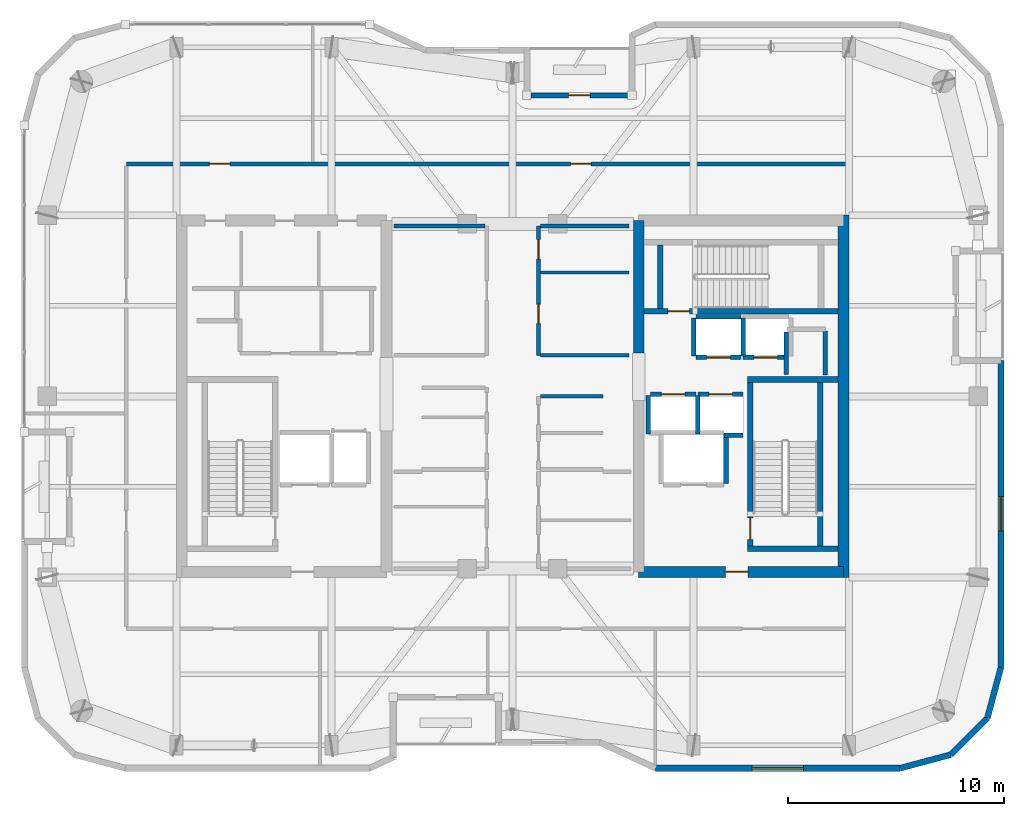
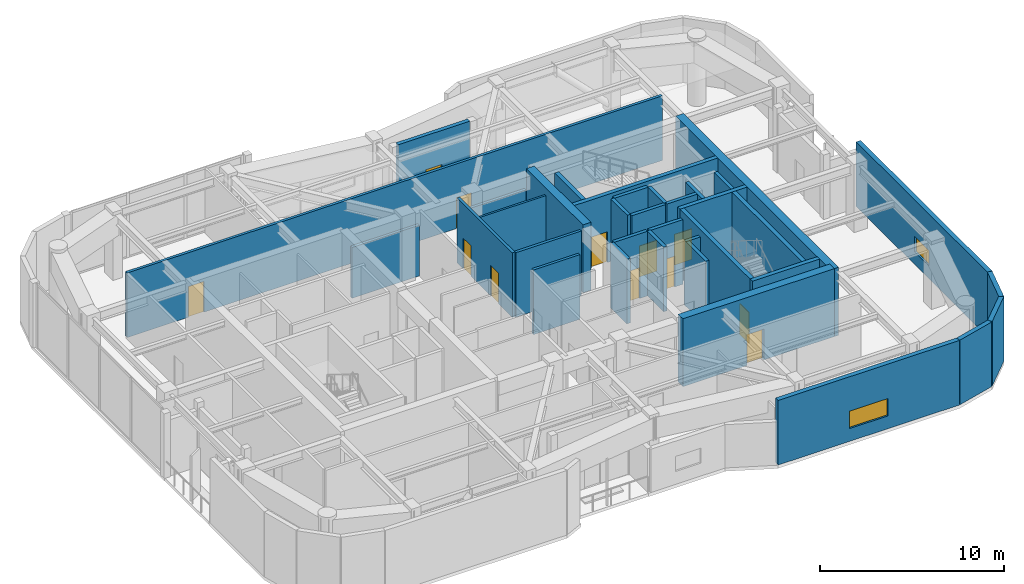
# One storey, part 12 of 16: 35 walls, 12 doors, 2 windows, 14 openings.
"""IFC4 building model written with IfcOpenShell, lengths in metres."""

from ifc_helpers import new_model, si_unit, direction, frame, frame_2d, origin, place, context, subcontext, project, spatial, rectangle, extrude, material, layer, layer_set, type_object, element, fill, save


model = new_model("IFC4")

# Units and contexts
model_context = context("Model", 3, precision=1e-05, world=origin(), true_north=direction((0.0, 1.0)))
body_context = subcontext(model_context, "Body", "Model", "MODEL_VIEW")
ifc_project = project(units=[si_unit("LENGTHUNIT", "METRE"), si_unit("AREAUNIT", "SQUARE_METRE"), si_unit("VOLUMEUNIT", "CUBIC_METRE"), si_unit("PLANEANGLEUNIT", "RADIAN"), si_unit("MASSUNIT", "GRAM", prefix="KILO")], contexts=[model_context])

# Site, building, storey
site_placement = place(None, origin())
site = spatial("IfcSite", under=ifc_project, at=site_placement, CompositionType="ELEMENT")
building_placement = place(site_placement, origin())
building = spatial("IfcBuilding", under=site, at=building_placement, Name="Kiyonajd Concourse Tower", CompositionType="ELEMENT")
storey_placement = place(building_placement, frame((0.0, 0.0, 337.5)))
storey = spatial("IfcBuildingStorey", under=building, at=storey_placement, Name="L85", CompositionType="ELEMENT", Elevation=337.5)

# Walls
ifc_material_1 = material(Name="Concrete C60/75", Category="concrete")
ifc_layer_1 = layer(ifc_material_1, 0.5)
ifc_layer_set_1 = layer_set([ifc_layer_1], Name="Concrete C60/75")
wall_type_1 = type_object("IfcWallType", Name="WL-CORE-500", PredefinedType="SHEAR", material=ifc_layer_set_1)
wall_1_placement = place(storey_placement, frame((53.85009765625, 38.0, 0.0), z_axis=(0.0, 0.0, 1.0), x_axis=(0.0, 1.0, 0.0)))
element("IfcWall", 1, at=wall_1_placement, inside=storey, type_object=wall_type_1, Name="L85 East Core Inner North Shear Wall", PredefinedType="SHEAR", context=body_context, shape_type="SweptSolid", body=[
    extrude(rectangle(XDim=6.14990234375, YDim=0.5, at=frame_2d((3.074951171875, 0.0))), origin(), (0.0, 0.0, 1.0), 4.5),
])
wall_2_placement = place(storey_placement, frame((63.35009765625, 27.60009765625, 0.0), z_axis=(0.0, 0.0, 1.0), x_axis=(0.0, 1.0, 0.0)))
element("IfcWall", 2, at=wall_2_placement, inside=storey, type_object=wall_type_1, Name="L85 East Core Outer Shear Wall", PredefinedType="SHEAR", context=body_context, shape_type="SweptSolid", body=[
    extrude(rectangle(XDim=16.7998046875, YDim=0.5, at=frame_2d((8.39990234375, 0.0))), origin(), (0.0, 0.0, 1.0), 4.5),
])

# Wall, opening, door
wall_3_placement = place(storey_placement, frame((53.85009765625, 27.85009765625, 0.0), z_axis=(0.0, 0.0, 1.0), x_axis=(1.0, 0.0, 0.0)))
wall_3 = element("IfcWall", 3, at=wall_3_placement, inside=storey, type_object=wall_type_1, Name="L85 East Core South Shear Wall", PredefinedType="SHEAR", context=body_context, shape_type="SweptSolid", body=[
    extrude(rectangle(XDim=9.5, YDim=0.5, at=frame_2d((4.75, 0.0))), origin(), (0.0, 0.0, 1.0), 4.5),
])
opening_1_placement = place(wall_3_placement, frame((4.02490234375, 0.0, 0.0)))
opening_1 = element("IfcOpeningElement", 4, at=opening_1_placement, cuts=wall_3, Name="Opening DF5", PredefinedType="OPENING", context=body_context, shape_type="SweptSolid", body=[
    extrude(rectangle(XDim=1.050048828125, YDim=2.0400390625, at=frame_2d((0.52490234375, 1.02001953125))), frame((0.0, 0.260009765625, 0.0), z_axis=(0.0, -1.0, 0.0), x_axis=(1.0, 0.0, 0.0)), (0.0, 0.0, 1.0), 0.52001953125),
])
ifc_material_2 = material(Name="Brushed Stainless Steel Cab Assembly", Category="steel")
door_type_1 = type_object("IfcDoorType", Name="DR-FD45-1050", OperationType="NOTDEFINED", PredefinedType="DOOR", material=ifc_material_2)
door_1_placement = place(opening_1_placement, origin())
door_1 = element("IfcDoor", 5, at=door_1_placement, inside=storey, type_object=door_type_1, Name="L85 Firefighting Lift Lobby E Smoke Door", OperationType="SINGLE_SWING_RIGHT", OverallHeight=2.0400390625, OverallWidth=1.050048828125, PredefinedType="DOOR", context=body_context, shape_type="SweptSolid", body=[
    extrude(rectangle(XDim=1.050048828125, YDim=2.0400390625, at=frame_2d((0.52490234375, 1.02001953125))), frame((0.0, 0.02490234375, 0.0), z_axis=(0.0, -1.0, 0.0), x_axis=(1.0, 0.0, 0.0)), (0.0, 0.0, 1.0), 0.050048828125),
])
fill(opening_1, door_1)

# Wall, opening, window
ifc_material_3 = material(Name="Precast concrete C50/60", Category="concrete")
ifc_layer_2 = layer(ifc_material_3, 0.280029296875)
ifc_layer_set_2 = layer_set([ifc_layer_2], Name="Precast concrete C50/60")
wall_type_2 = type_object("IfcWallType", Name="WL-EXT-280", PredefinedType="SOLIDWALL", material=ifc_layer_set_2)
wall_4_placement = place(storey_placement, frame((70.659912109375, 37.659912109375, 0.0), z_axis=(0.0, 0.0, 1.0), x_axis=(0.0, -1.0, 0.0)))
wall_4 = element("IfcWall", 6, at=wall_4_placement, inside=storey, type_object=wall_type_2, Name="L85 Exterior Concrete Frame Wall 24", PredefinedType="SOLIDWALL", context=body_context, shape_type="SweptSolid", body=[
    extrude(rectangle(XDim=14.241455078125, YDim=0.280029296875, at=frame_2d((7.12060546875, 0.0))), origin(), (0.0, 0.0, 1.0), 4.280029296875),
])
opening_2_placement = place(wall_4_placement, frame((6.321044921875, 0.0, 0.85009765625)))
opening_2 = element("IfcOpeningElement", 7, at=opening_2_placement, cuts=wall_4, Name="Opening WN6", PredefinedType="OPENING", context=body_context, shape_type="SweptSolid", body=[
    extrude(rectangle(XDim=1.60009765625, YDim=1.0, at=frame_2d((0.800048828125, 0.5))), frame((0.0, 0.14990234375, 0.0), z_axis=(0.0, -1.0, 0.0), x_axis=(1.0, 0.0, 0.0)), (0.0, 0.0, 1.0), 0.300048828125),
])
ifc_material_4 = material(Name="Double Low-E Insulated Glass", Category="glass")
window_type_1 = type_object("IfcWindowType", Name="WN-VIS-1600x1000", PartitioningType="SINGLE_PANEL", PredefinedType="WINDOW", material=ifc_material_4)
window_1_placement = place(opening_2_placement, origin())
window_1 = element("IfcWindow", 8, at=window_1_placement, inside=storey, type_object=window_type_1, Name="L85 Modular Facade Vision Window 24", OverallHeight=1.0, OverallWidth=1.60009765625, PartitioningType="SINGLE_PANEL", PredefinedType="WINDOW", context=body_context, shape_type="SweptSolid", body=[
    extrude(rectangle(XDim=1.60009765625, YDim=1.0, at=frame_2d((0.800048828125, 0.5))), frame((0.0, 0.030029296875, 0.0), z_axis=(0.0, -1.0, 0.0), x_axis=(1.0, 0.0, 0.0)), (0.0, 0.0, 1.0), 0.06005859375),
])
fill(opening_2, window_1)

# Walls
wall_5_placement = place(storey_placement, frame((70.659912109375, 23.41845703125, 0.0), z_axis=(0.0, 0.0, 1.0), x_axis=(-0.258751159445, -0.965944013639, 0.0)))
element("IfcWall", 9, at=wall_5_placement, inside=storey, type_object=wall_type_2, Name="L85 Exterior Concrete Frame Wall 25", PredefinedType="SOLIDWALL", context=body_context, shape_type="SweptSolid", body=[
    extrude(rectangle(XDim=2.4287109375, YDim=0.280029296875, at=frame_2d((1.21435546875, 0.0))), origin(), (0.0, 0.0, 1.0), 4.280029296875),
])
wall_6_placement = place(storey_placement, frame((70.031494140625, 21.072509765625, 0.0), z_axis=(0.0, 0.0, 1.0), x_axis=(-0.707106781187, -0.707106781187, 0.0)))
element("IfcWall", 10, at=wall_6_placement, inside=storey, type_object=wall_type_2, Name="L85 Exterior Concrete Frame Wall 26", PredefinedType="SOLIDWALL", context=body_context, shape_type="SweptSolid", body=[
    extrude(rectangle(XDim=2.409912109375, YDim=0.280029296875, at=frame_2d((1.205078125, 0.0))), origin(), (0.0, 0.0, 1.0), 4.280029296875),
])
wall_7_placement = place(storey_placement, frame((68.327392578125, 19.368408203125, 0.0), z_axis=(0.0, 0.0, 1.0), x_axis=(-0.965937282298, -0.25877628691, 0.0)))
element("IfcWall", 11, at=wall_7_placement, inside=storey, type_object=wall_type_2, Name="L85 Exterior Concrete Frame Wall 27", PredefinedType="SOLIDWALL", context=body_context, shape_type="SweptSolid", body=[
    extrude(rectangle(XDim=2.428466796875, YDim=0.280029296875, at=frame_2d((1.21435546875, 0.0))), origin(), (0.0, 0.0, 1.0), 4.280029296875),
])

# Wall, opening, window
wall_8_placement = place(storey_placement, frame((65.981689453125, 18.739990234375, 0.0), z_axis=(0.0, 0.0, 1.0), x_axis=(-1.0, 0.0, 0.0)))
wall_8 = element("IfcWall", 12, at=wall_8_placement, inside=storey, type_object=wall_type_2, Name="L85 Exterior Concrete Frame Wall 28", PredefinedType="SOLIDWALL", context=body_context, shape_type="SweptSolid", body=[
    extrude(rectangle(XDim=11.35107421875, YDim=0.280029296875, at=frame_2d((5.675537109375, 0.0))), origin(), (0.0, 0.0, 1.0), 4.280029296875),
])
opening_3_placement = place(wall_8_placement, frame((4.47509765625, 0.0, 0.85009765625)))
opening_3 = element("IfcOpeningElement", 13, at=opening_3_placement, cuts=wall_8, Name="Opening WN4", PredefinedType="OPENING", context=body_context, shape_type="SweptSolid", body=[
    extrude(rectangle(XDim=2.39990234375, YDim=1.14990234375, at=frame_2d((1.199951171875, 0.574951171875))), frame((0.0, 0.14990234375, 0.0), z_axis=(0.0, -1.0, 0.0), x_axis=(1.0, 0.0, 0.0)), (0.0, 0.0, 1.0), 0.300048828125),
])
window_type_2 = type_object("IfcWindowType", Name="WN-VIS-2400x1150", PartitioningType="SINGLE_PANEL", PredefinedType="WINDOW", material=ifc_material_4)
window_2_placement = place(opening_3_placement, origin())
window_2 = element("IfcWindow", 14, at=window_2_placement, inside=storey, type_object=window_type_2, Name="L85 Modular Facade Vision Window 28", OverallHeight=1.14990234375, OverallWidth=2.39990234375, PartitioningType="SINGLE_PANEL", PredefinedType="WINDOW", context=body_context, shape_type="SweptSolid", body=[
    extrude(rectangle(XDim=2.39990234375, YDim=1.14990234375, at=frame_2d((1.199951171875, 0.574951171875))), frame((0.0, 0.030029296875, 0.0), z_axis=(0.0, -1.0, 0.0), x_axis=(1.0, 0.0, 0.0)), (0.0, 0.0, 1.0), 0.06005859375),
])
fill(opening_3, window_2)

# Wall, opening, door
ifc_layer_3 = layer(ifc_material_3, 0.239990234375)
ifc_layer_set_3 = layer_set([ifc_layer_3], Name="Precast concrete C50/60")
wall_type_3 = type_object("IfcWallType", Name="WL-LOG-240", PredefinedType="SOLIDWALL", material=ifc_layer_set_3)
wall_9_placement = place(storey_placement, frame((48.85498046875, 49.9599609375, 0.0), z_axis=(0.0, 0.0, 1.0), x_axis=(1.0, 0.0, 0.0)))
wall_9 = element("IfcWall", 15, at=wall_9_placement, inside=storey, type_object=wall_type_3, Name="L85 Recessed Loggia Thermal Wall LOG-N", PredefinedType="SOLIDWALL", context=body_context, shape_type="SweptSolid", body=[
    extrude(rectangle(XDim=4.489990234375, YDim=0.239990234375, at=frame_2d((2.2451171875, 0.0))), origin(), (0.0, 0.0, 1.0), 4.280029296875),
])
opening_4_placement = place(wall_9_placement, frame((1.7451171875, 0.0, 0.0)))
opening_4 = element("IfcOpeningElement", 16, at=opening_4_placement, cuts=wall_9, Name="Opening DL1", PredefinedType="OPENING", context=body_context, shape_type="SweptSolid", body=[
    extrude(rectangle(XDim=1.0, YDim=2.02001953125, at=frame_2d((0.5, 1.010009765625))), frame((0.0, 0.1298828125, 0.0), z_axis=(0.0, -1.0, 0.0), x_axis=(1.0, 0.0, 0.0)), (0.0, 0.0, 1.0), 0.260009765625),
])
ifc_material_5 = material(Name="Thermally Broken Anodised Aluminium", Category="aluminium")
door_type_2 = type_object("IfcDoorType", Name="DR-LOG-1000", OperationType="NOTDEFINED", PredefinedType="DOOR", material=ifc_material_5)
door_2_placement = place(opening_4_placement, origin())
door_2 = element("IfcDoor", 17, at=door_2_placement, inside=storey, type_object=door_type_2, Name="L85 Engawa Loggia Access Door LOG-N", OperationType="SINGLE_SWING_RIGHT", OverallHeight=2.02001953125, OverallWidth=1.0, PredefinedType="DOOR", context=body_context, shape_type="SweptSolid", body=[
    extrude(rectangle(XDim=1.0, YDim=2.02001953125, at=frame_2d((0.5, 1.010009765625))), frame((0.0, 0.02490234375, 0.0), z_axis=(0.0, -1.0, 0.0), x_axis=(1.0, 0.0, 0.0)), (0.0, 0.0, 1.0), 0.050048828125),
])
fill(opening_4, door_2)

# Walls
ifc_material_6 = material(Name="Gypsum Board on Cold-Formed Steel Stud", Category="steel")
ifc_layer_4 = layer(ifc_material_6, 0.125)
ifc_layer_set_4 = layer_set([ifc_layer_4], Name="Gypsum Board on Cold-Formed Steel Stud")
wall_type_4 = type_object("IfcWallType", Name="WL-PART-125", PredefinedType="PARTITIONING", material=ifc_layer_set_4)
wall_10_placement = place(storey_placement, frame((49.287109375, 41.739990234375, 0.0), z_axis=(0.0, 0.0, 1.0), x_axis=(1.0, 0.0, 0.0)))
element("IfcWall", 18, at=wall_10_placement, inside=storey, type_object=wall_type_4, Name="L85 Interior Partition Wall", PredefinedType="PARTITIONING", context=body_context, shape_type="SweptSolid", body=[
    extrude(rectangle(XDim=4.11279296875, YDim=0.125, at=frame_2d((2.056396484375, 0.0))), origin(), (0.0, 0.0, 1.0), 4.280029296875),
])
ifc_layer_5 = layer(ifc_material_6, 0.2099609375)
ifc_layer_set_5 = layer_set([ifc_layer_5], Name="Gypsum Board on Cold-Formed Steel Stud")
wall_type_5 = type_object("IfcWallType", Name="WL-SHAFT-210", PredefinedType="PARTITIONING", material=ifc_layer_set_5)
wall_11_placement = place(storey_placement, frame((60.699951171875, 37.02001953125, 0.0), z_axis=(0.0, 0.0, 1.0), x_axis=(0.0, 1.0, 0.0)))
element("IfcWall", 19, at=wall_11_placement, inside=storey, type_object=wall_type_5, Name="L85 Shaft Enclosure Wall", PredefinedType="PARTITIONING", context=body_context, shape_type="SweptSolid", body=[
    extrude(rectangle(XDim=1.9599609375, YDim=0.2099609375, at=frame_2d((0.97998046875, 0.0))), origin(), (0.0, 0.0, 1.0), 4.280029296875),
])
wall_12_placement = place(storey_placement, frame((62.5, 36.97998046875, 0.0), z_axis=(0.0, 0.0, 1.0), x_axis=(0.0, 1.0, 0.0)))
element("IfcWall", 20, at=wall_12_placement, inside=storey, type_object=wall_type_5, Name="L85 Shaft Enclosure Wall", PredefinedType="PARTITIONING", context=body_context, shape_type="SweptSolid", body=[
    extrude(rectangle(XDim=2.0400390625, YDim=0.2099609375, at=frame_2d((1.02001953125, 0.0))), origin(), (0.0, 0.0, 1.0), 4.280029296875),
])
wall_13_placement = place(storey_placement, frame((57.89990234375, 31.9599609375, 0.0), z_axis=(0.0, 0.0, 1.0), x_axis=(0.0, 1.0, 0.0)))
element("IfcWall", 21, at=wall_13_placement, inside=storey, type_object=wall_type_5, Name="L85 Shaft Enclosure Wall", PredefinedType="PARTITIONING", context=body_context, shape_type="SweptSolid", body=[
    extrude(rectangle(XDim=2.280029296875, YDim=0.2099609375, at=frame_2d((1.14013671875, 0.0))), origin(), (0.0, 0.0, 1.0), 4.280029296875),
])

# Wall, opening, door
wall_14_placement = place(storey_placement, frame((54.39990234375, 36.10009765625, 0.0), z_axis=(0.0, 0.0, 1.0), x_axis=(1.0, 0.0, 0.0)))
wall_14 = element("IfcWall", 22, at=wall_14_placement, inside=storey, type_object=wall_type_5, Name="L85 Shaft Enclosure Wall", PredefinedType="PARTITIONING", context=body_context, shape_type="SweptSolid", body=[
    extrude(rectangle(XDim=2.10009765625, YDim=0.2099609375, at=frame_2d((1.050048828125, 0.0))), origin(), (0.0, 0.0, 1.0), 4.280029296875),
])
opening_5_placement = place(wall_14_placement, frame((0.5, 0.0, 0.0)))
opening_5 = element("IfcOpeningElement", 23, at=opening_5_placement, cuts=wall_14, Name="Opening LD1", PredefinedType="OPENING", context=body_context, shape_type="SweptSolid", body=[
    extrude(rectangle(XDim=1.10009765625, YDim=2.0400390625, at=frame_2d((0.550048828125, 1.02001953125))), frame((0.0, 0.114990234375, 0.0), z_axis=(0.0, -1.0, 0.0), x_axis=(1.0, 0.0, 0.0)), (0.0, 0.0, 1.0), 0.22998046875),
])
door_type_3 = type_object("IfcDoorType", Name="DR-LD-1100", OperationType="DOUBLE_DOOR_SLIDING", PredefinedType="DOOR", material=ifc_material_2)
door_3_placement = place(opening_5_placement, origin())
door_3 = element("IfcDoor", 24, at=door_3_placement, inside=storey, type_object=door_type_3, Name="L85 Lift PL-H1 Sliding Landing Door", OperationType="DOUBLE_DOOR_SLIDING", OverallHeight=2.0400390625, OverallWidth=1.10009765625, PredefinedType="DOOR", context=body_context, shape_type="SweptSolid", body=[
    extrude(rectangle(XDim=1.10009765625, YDim=2.0400390625, at=frame_2d((0.550048828125, 1.02001953125))), frame((0.0, 0.02490234375, 0.0), z_axis=(0.0, -1.0, 0.0), x_axis=(1.0, 0.0, 0.0)), (0.0, 0.0, 1.0), 0.050048828125),
])
fill(opening_5, door_3)

# Walls
for number, where, z_axis, x_axis, name in (
    (25, (54.300048828125, 34.260009765625, 0.0), (0.0, 0.0, 1.0), (0.0, 1.0, 0.0), "L85 Shaft Enclosure Wall"),
    (26, (56.60009765625, 34.260009765625, 0.0), (0.0, 0.0, 1.0), (0.0, 1.0, 0.0), "L85 Shaft Enclosure Wall"),
):
    element("IfcWall", number, at=place(storey_placement, frame(where, z_axis=z_axis, x_axis=x_axis)), inside=storey, type_object=wall_type_5, Name=name, PredefinedType="PARTITIONING", context=body_context, shape_type="SweptSolid", body=[
        extrude(rectangle(XDim=1.780029296875, YDim=0.2099609375, at=frame_2d((0.89013671875, 0.0))), origin(), (0.0, 0.0, 1.0), 4.280029296875),
    ])

# Wall, opening, door
wall_15_placement = place(storey_placement, frame((56.60009765625, 36.10009765625, 0.0), z_axis=(0.0, 0.0, 1.0), x_axis=(1.0, 0.0, 0.0)))
wall_15 = element("IfcWall", 27, at=wall_15_placement, inside=storey, type_object=wall_type_5, Name="L85 Shaft Enclosure Wall", PredefinedType="PARTITIONING", context=body_context, shape_type="SweptSolid", body=[
    extrude(rectangle(XDim=2.099853515625, YDim=0.2099609375, at=frame_2d((1.0498046875, 0.0))), origin(), (0.0, 0.0, 1.0), 4.280029296875),
])
opening_6_placement = place(wall_15_placement, frame((0.5, 0.0, 0.0)))
opening_6 = element("IfcOpeningElement", 28, at=opening_6_placement, cuts=wall_15, Name="Opening LD1", PredefinedType="OPENING", context=body_context, shape_type="SweptSolid", body=[
    extrude(rectangle(XDim=1.10009765625, YDim=2.0400390625, at=frame_2d((0.550048828125, 1.02001953125))), frame((0.0, 0.114990234375, 0.0), z_axis=(0.0, -1.0, 0.0), x_axis=(1.0, 0.0, 0.0)), (0.0, 0.0, 1.0), 0.22998046875),
])
door_4_placement = place(opening_6_placement, origin())
door_4 = element("IfcDoor", 29, at=door_4_placement, inside=storey, type_object=door_type_3, Name="L85 Lift PL-H2 Sliding Landing Door", OperationType="DOUBLE_DOOR_SLIDING", OverallHeight=2.0400390625, OverallWidth=1.10009765625, PredefinedType="DOOR", context=body_context, shape_type="SweptSolid", body=[
    extrude(rectangle(XDim=1.10009765625, YDim=2.0400390625, at=frame_2d((0.550048828125, 1.02001953125))), frame((0.0, 0.02490234375, 0.0), z_axis=(0.0, -1.0, 0.0), x_axis=(1.0, 0.0, 0.0)), (0.0, 0.0, 1.0), 0.050048828125),
])
fill(opening_6, door_4)

# Wall
wall_16_placement = place(storey_placement, frame((57.800048828125, 34.199951171875, 0.0), z_axis=(0.0, 0.0, 1.0), x_axis=(1.0, 0.0, 0.0)))
element("IfcWall", 30, at=wall_16_placement, inside=storey, type_object=wall_type_5, Name="L85 Shaft Enclosure Wall", PredefinedType="PARTITIONING", context=body_context, shape_type="SweptSolid", body=[
    extrude(rectangle(XDim=0.89990234375, YDim=0.2099609375, at=frame_2d((0.449951171875, 0.0))), origin(), (0.0, 0.0, 1.0), 4.280029296875),
])

# Wall, opening, door
wall_17_placement = place(storey_placement, frame((56.5, 37.800048828125, 0.0), z_axis=(0.0, 0.0, 1.0), x_axis=(1.0, 0.0, 0.0)))
wall_17 = element("IfcWall", 31, at=wall_17_placement, inside=storey, type_object=wall_type_5, Name="L85 Shaft Enclosure Wall", PredefinedType="PARTITIONING", context=body_context, shape_type="SweptSolid", body=[
    extrude(rectangle(XDim=2.10009765625, YDim=0.2099609375, at=frame_2d((1.050048828125, 0.0))), origin(), (0.0, 0.0, 1.0), 4.280029296875),
])
opening_7_placement = place(wall_17_placement, frame((0.5, 0.0, 0.0)))
opening_7 = element("IfcOpeningElement", 32, at=opening_7_placement, cuts=wall_17, Name="Opening LD1", PredefinedType="OPENING", context=body_context, shape_type="SweptSolid", body=[
    extrude(rectangle(XDim=1.10009765625, YDim=2.0400390625, at=frame_2d((0.550048828125, 1.02001953125))), frame((0.0, 0.114990234375, 0.0), z_axis=(0.0, -1.0, 0.0), x_axis=(1.0, 0.0, 0.0)), (0.0, 0.0, 1.0), 0.22998046875),
])
door_5_placement = place(opening_7_placement, origin())
door_5 = element("IfcDoor", 33, at=door_5_placement, inside=storey, type_object=door_type_3, Name="L85 Lift PL-H3 Sliding Landing Door", OperationType="DOUBLE_DOOR_SLIDING", OverallHeight=2.0400390625, OverallWidth=1.10009765625, PredefinedType="DOOR", context=body_context, shape_type="SweptSolid", body=[
    extrude(rectangle(XDim=1.10009765625, YDim=2.0400390625, at=frame_2d((0.550048828125, 1.02001953125))), frame((0.0, 0.02490234375, 0.0), z_axis=(0.0, -1.0, 0.0), x_axis=(1.0, 0.0, 0.0)), (0.0, 0.0, 1.0), 0.050048828125),
])
fill(opening_7, door_5)

# Walls
wall_18_placement = place(storey_placement, frame((56.5, 39.699951171875, 0.0), z_axis=(0.0, 0.0, 1.0), x_axis=(1.0, 0.0, 0.0)))
element("IfcWall", 34, at=wall_18_placement, inside=storey, type_object=wall_type_5, Name="L85 Shaft Enclosure Wall", PredefinedType="PARTITIONING", context=body_context, shape_type="SweptSolid", body=[
    extrude(rectangle(XDim=2.10009765625, YDim=0.2099609375, at=frame_2d((1.050048828125, 0.0))), origin(), (0.0, 0.0, 1.0), 4.280029296875),
])
for number, where, z_axis, x_axis, name in (
    (35, (56.39990234375, 37.860107421875, 0.0), (0.0, 0.0, 1.0), (0.0, 1.0, 0.0), "L85 Shaft Enclosure Wall"),
    (36, (58.699951171875, 37.860107421875, 0.0), (0.0, 0.0, 1.0), (0.0, 1.0, 0.0), "L85 Shaft Enclosure Wall"),
):
    element("IfcWall", number, at=place(storey_placement, frame(where, z_axis=z_axis, x_axis=x_axis)), inside=storey, type_object=wall_type_5, Name=name, PredefinedType="PARTITIONING", context=body_context, shape_type="SweptSolid", body=[
        extrude(rectangle(XDim=1.77978515625, YDim=0.2099609375, at=frame_2d((0.889892578125, 0.0))), origin(), (0.0, 0.0, 1.0), 4.280029296875),
    ])

# Wall, opening, door
wall_19_placement = place(storey_placement, frame((58.699951171875, 37.800048828125, 0.0), z_axis=(0.0, 0.0, 1.0), x_axis=(1.0, 0.0, 0.0)))
wall_19 = element("IfcWall", 37, at=wall_19_placement, inside=storey, type_object=wall_type_5, Name="L85 Shaft Enclosure Wall", PredefinedType="PARTITIONING", context=body_context, shape_type="SweptSolid", body=[
    extrude(rectangle(XDim=2.10009765625, YDim=0.2099609375, at=frame_2d((1.050048828125, 0.0))), origin(), (0.0, 0.0, 1.0), 4.280029296875),
])
opening_8_placement = place(wall_19_placement, frame((0.5, 0.0, 0.0)))
opening_8 = element("IfcOpeningElement", 38, at=opening_8_placement, cuts=wall_19, Name="Opening LD1", PredefinedType="OPENING", context=body_context, shape_type="SweptSolid", body=[
    extrude(rectangle(XDim=1.10009765625, YDim=2.0400390625, at=frame_2d((0.550048828125, 1.02001953125))), frame((0.0, 0.114990234375, 0.0), z_axis=(0.0, -1.0, 0.0), x_axis=(1.0, 0.0, 0.0)), (0.0, 0.0, 1.0), 0.22998046875),
])
door_6_placement = place(opening_8_placement, origin())
door_6 = element("IfcDoor", 39, at=door_6_placement, inside=storey, type_object=door_type_3, Name="L85 Lift PL-H4 Sliding Landing Door", OperationType="DOUBLE_DOOR_SLIDING", OverallHeight=2.0400390625, OverallWidth=1.10009765625, PredefinedType="DOOR", context=body_context, shape_type="SweptSolid", body=[
    extrude(rectangle(XDim=1.10009765625, YDim=2.0400390625, at=frame_2d((0.550048828125, 1.02001953125))), frame((0.0, 0.02490234375, 0.0), z_axis=(0.0, -1.0, 0.0), x_axis=(1.0, 0.0, 0.0)), (0.0, 0.0, 1.0), 0.050048828125),
])
fill(opening_8, door_6)

# Walls
ifc_layer_6 = layer(ifc_material_6, 0.169921875)
ifc_layer_set_6 = layer_set([ifc_layer_6], Name="Gypsum Board on Cold-Formed Steel Stud")
wall_type_6 = type_object("IfcWallType", Name="WL-SMK-170", PredefinedType="PARTITIONING", material=ifc_layer_set_6)
wall_20_placement = place(storey_placement, frame((49.287109375, 36.0, 0.0), z_axis=(0.0, 0.0, 1.0), x_axis=(1.0, 0.0, 0.0)))
element("IfcWall", 40, at=wall_20_placement, inside=storey, type_object=wall_type_6, Name="L85 Interior Partition Wall", PredefinedType="PARTITIONING", context=body_context, shape_type="SweptSolid", body=[
    extrude(rectangle(XDim=2.912841796875, YDim=0.169921875, at=frame_2d((1.45654296875, 0.0))), origin(), (0.0, 0.0, 1.0), 4.280029296875),
])
wall_21_placement = place(storey_placement, frame((42.5, 43.89990234375, 0.0), z_axis=(0.0, 0.0, 1.0), x_axis=(1.0, 0.0, 0.0)))
element("IfcWall", 41, at=wall_21_placement, inside=storey, type_object=wall_type_6, Name="L85 Interior Partition Wall", PredefinedType="PARTITIONING", context=body_context, shape_type="SweptSolid", body=[
    extrude(rectangle(XDim=4.212890625, YDim=0.169921875, at=frame_2d((2.1064453125, 0.0))), origin(), (0.0, 0.0, 1.0), 3.364990234375),
])

# Wall, openings, doors
wall_22_placement = place(storey_placement, frame((49.199951171875, 37.89990234375, 0.0), z_axis=(0.0, 0.0, 1.0), x_axis=(0.0, 1.0, 0.0)))
wall_22 = element("IfcWall", 42, at=wall_22_placement, inside=storey, type_object=wall_type_6, Name="L85 Interior Partition Wall", PredefinedType="PARTITIONING", context=body_context, shape_type="SweptSolid", body=[
    extrude(rectangle(XDim=6.0, YDim=0.169921875, at=frame_2d((3.0, 0.0))), origin(), (0.0, 0.0, 1.0), 4.280029296875),
])
opening_9_placement = place(wall_22_placement, frame((1.469970703125, 0.0, 0.0)))
opening_9 = element("IfcOpeningElement", 43, at=opening_9_placement, cuts=wall_22, Name="Opening DF4", PredefinedType="OPENING", context=body_context, shape_type="SweptSolid", body=[
    extrude(rectangle(XDim=0.89990234375, YDim=2.02001953125, at=frame_2d((0.449951171875, 1.010009765625))), frame((0.0, 0.094970703125, 0.0), z_axis=(0.0, -1.0, 0.0), x_axis=(1.0, 0.0, 0.0)), (0.0, 0.0, 1.0), 0.18994140625),
])
opening_10_placement = place(wall_22_placement, frame((4.469970703125, 0.0, 0.0)))
opening_10 = element("IfcOpeningElement", 44, at=opening_10_placement, cuts=wall_22, Name="Opening DF4", PredefinedType="OPENING", context=body_context, shape_type="SweptSolid", body=[
    extrude(rectangle(XDim=0.89990234375, YDim=2.02001953125, at=frame_2d((0.449951171875, 1.010009765625))), frame((0.0, 0.094970703125, 0.0), z_axis=(0.0, -1.0, 0.0), x_axis=(1.0, 0.0, 0.0)), (0.0, 0.0, 1.0), 0.18994140625),
])
door_type_4 = type_object("IfcDoorType", Name="DR-FD60-900", OperationType="NOTDEFINED", PredefinedType="DOOR", material=ifc_material_2)
door_7_placement = place(opening_9_placement, origin())
door_7 = element("IfcDoor", 45, at=door_7_placement, inside=storey, type_object=door_type_4, Name="L85 Interior Door", OperationType="SINGLE_SWING_RIGHT", OverallHeight=2.02001953125, OverallWidth=0.89990234375, PredefinedType="DOOR", context=body_context, shape_type="SweptSolid", body=[
    extrude(rectangle(XDim=0.89990234375, YDim=2.02001953125, at=frame_2d((0.449951171875, 1.010009765625))), frame((0.0, 0.02490234375, 0.0), z_axis=(0.0, -1.0, 0.0), x_axis=(1.0, 0.0, 0.0)), (0.0, 0.0, 1.0), 0.050048828125),
])
fill(opening_9, door_7)
door_8_placement = place(opening_10_placement, origin())
door_8 = element("IfcDoor", 46, at=door_8_placement, inside=storey, type_object=door_type_4, Name="L85 Interior Door", OperationType="SINGLE_SWING_LEFT", OverallHeight=2.02001953125, OverallWidth=0.89990234375, PredefinedType="DOOR", context=body_context, shape_type="SweptSolid", body=[
    extrude(rectangle(XDim=0.89990234375, YDim=2.02001953125, at=frame_2d((0.449951171875, 1.010009765625))), frame((0.0, 0.02490234375, 0.0), z_axis=(0.0, -1.0, 0.0), x_axis=(1.0, 0.0, 0.0)), (0.0, 0.0, 1.0), 0.050048828125),
])
fill(opening_10, door_8)

# Walls
wall_23_placement = place(storey_placement, frame((49.287109375, 37.89990234375, 0.0), z_axis=(0.0, 0.0, 1.0), x_axis=(1.0, 0.0, 0.0)))
element("IfcWall", 47, at=wall_23_placement, inside=storey, type_object=wall_type_6, Name="L85 Interior Partition Wall", PredefinedType="PARTITIONING", context=body_context, shape_type="SweptSolid", body=[
    extrude(rectangle(XDim=4.11279296875, YDim=0.169921875, at=frame_2d((2.056396484375, 0.0))), origin(), (0.0, 0.0, 1.0), 4.280029296875),
])
wall_24_placement = place(storey_placement, frame((49.287109375, 43.89990234375, 0.0), z_axis=(0.0, 0.0, 1.0), x_axis=(1.0, 0.0, 0.0)))
element("IfcWall", 48, at=wall_24_placement, inside=storey, type_object=wall_type_6, Name="L85 Interior Partition Wall", PredefinedType="PARTITIONING", context=body_context, shape_type="SweptSolid", body=[
    extrude(rectangle(XDim=4.11279296875, YDim=0.169921875, at=frame_2d((2.056396484375, 0.0))), origin(), (0.0, 0.0, 1.0), 3.364990234375),
])

# Wall, openings, doors
wall_25_placement = place(storey_placement, frame((30.074951171875, 46.780029296875, 0.0), z_axis=(0.0, 0.0, 1.0), x_axis=(1.0, 0.0, 0.0)))
wall_25 = element("IfcWall", 49, at=wall_25_placement, inside=storey, type_object=wall_type_6, Name="L85 Interior Partition Wall", PredefinedType="PARTITIONING", context=body_context, shape_type="SweptSolid", body=[
    extrude(rectangle(XDim=33.525146484375, YDim=0.169921875, at=frame_2d((16.7626953125, 0.0))), origin(), (0.0, 0.0, 1.0), 4.280029296875),
])
opening_11_placement = place(wall_25_placement, frame((3.85205078125, 0.0, 0.0)))
opening_11 = element("IfcOpeningElement", 50, at=opening_11_placement, cuts=wall_25, Name="Opening DI1", PredefinedType="OPENING", context=body_context, shape_type="SweptSolid", body=[
    extrude(rectangle(XDim=0.949951171875, YDim=2.0400390625, at=frame_2d((0.47509765625, 1.02001953125))), frame((0.0, 0.094970703125, 0.0), z_axis=(0.0, -1.0, 0.0), x_axis=(1.0, 0.0, 0.0)), (0.0, 0.0, 1.0), 0.18994140625),
])
opening_12_placement = place(wall_25_placement, frame((20.614990234375, 0.0, 0.0)))
opening_12 = element("IfcOpeningElement", 51, at=opening_12_placement, cuts=wall_25, Name="Opening DI1", PredefinedType="OPENING", context=body_context, shape_type="SweptSolid", body=[
    extrude(rectangle(XDim=0.949951171875, YDim=2.0400390625, at=frame_2d((0.47509765625, 1.02001953125))), frame((0.0, 0.094970703125, 0.0), z_axis=(0.0, -1.0, 0.0), x_axis=(1.0, 0.0, 0.0)), (0.0, 0.0, 1.0), 0.18994140625),
])
ifc_material_7 = material(Name="Natural Oak Acoustic Timber Veneer", Category="wood")
door_type_5 = type_object("IfcDoorType", Name="DR-INT-950", OperationType="NOTDEFINED", PredefinedType="DOOR", material=ifc_material_7)
door_9_placement = place(opening_11_placement, origin())
door_9 = element("IfcDoor", 52, at=door_9_placement, inside=storey, type_object=door_type_5, Name="L85 Interior Door", OperationType="SINGLE_SWING_RIGHT", OverallHeight=2.0400390625, OverallWidth=0.949951171875, PredefinedType="DOOR", context=body_context, shape_type="SweptSolid", body=[
    extrude(rectangle(XDim=0.949951171875, YDim=2.0400390625, at=frame_2d((0.47509765625, 1.02001953125))), frame((0.0, 0.02490234375, 0.0), z_axis=(0.0, -1.0, 0.0), x_axis=(1.0, 0.0, 0.0)), (0.0, 0.0, 1.0), 0.050048828125),
])
fill(opening_11, door_9)
door_10_placement = place(opening_12_placement, origin())
door_10 = element("IfcDoor", 53, at=door_10_placement, inside=storey, type_object=door_type_5, Name="L85 Interior Door", OperationType="SINGLE_SWING_LEFT", OverallHeight=2.0400390625, OverallWidth=0.949951171875, PredefinedType="DOOR", context=body_context, shape_type="SweptSolid", body=[
    extrude(rectangle(XDim=0.949951171875, YDim=2.0400390625, at=frame_2d((0.47509765625, 1.02001953125))), frame((0.0, 0.02490234375, 0.0), z_axis=(0.0, -1.0, 0.0), x_axis=(1.0, 0.0, 0.0)), (0.0, 0.0, 1.0), 0.050048828125),
])
fill(opening_12, door_10)

# Walls
ifc_material_8 = material(Name="Concrete C50/60", Category="concrete")
ifc_layer_7 = layer(ifc_material_8, 0.260009765625)
ifc_layer_set_7 = layer_set([ifc_layer_7], Name="Concrete C50/60")
wall_type_7 = type_object("IfcWallType", Name="WL-STAIR-260", PredefinedType="SHEAR", material=ifc_layer_set_7)
for number, where, z_axis, x_axis, name in (
    (54, (58.889892578125, 28.919921875, 0.0), (0.0, 0.0, 1.0), (1.0, 0.0, 0.0), "L85 Stair ST2 Structural South Wall"),
    (55, (58.889892578125, 36.780029296875, 0.0), (0.0, 0.0, 1.0), (1.0, 0.0, 0.0), "L85 Stair ST2 Structural North Wall"),
):
    element("IfcWall", number, at=place(storey_placement, frame(where, z_axis=z_axis, x_axis=x_axis)), inside=storey, type_object=wall_type_7, Name=name, PredefinedType="SHEAR", context=body_context, shape_type="SweptSolid", body=[
        extrude(rectangle(XDim=4.210205078125, YDim=0.260009765625, at=frame_2d((2.10498046875, 0.0))), origin(), (0.0, 0.0, 1.0), 4.5),
    ])

# Wall, opening, door
wall_26_placement = place(storey_placement, frame((59.02001953125, 29.050048828125, 0.0), z_axis=(0.0, 0.0, 1.0), x_axis=(0.0, 1.0, 0.0)))
wall_26 = element("IfcWall", 56, at=wall_26_placement, inside=storey, type_object=wall_type_7, Name="L85 Stair ST2 Structural West Wall", PredefinedType="SHEAR", context=body_context, shape_type="SweptSolid", body=[
    extrude(rectangle(XDim=7.599853515625, YDim=0.260009765625, at=frame_2d((3.7998046875, 0.0))), origin(), (0.0, 0.0, 1.0), 4.5),
])
opening_13_placement = place(wall_26_placement, frame((0.300048828125, 0.0, 0.0)))
opening_13 = element("IfcOpeningElement", 57, at=opening_13_placement, cuts=wall_26, Name="Opening DF1", PredefinedType="OPENING", context=body_context, shape_type="SweptSolid", body=[
    extrude(rectangle(XDim=1.0, YDim=2.0400390625, at=frame_2d((0.5, 1.02001953125))), frame((0.0, 0.139892578125, 0.0), z_axis=(0.0, -1.0, 0.0), x_axis=(1.0, 0.0, 0.0)), (0.0, 0.0, 1.0), 0.280029296875),
])
door_type_6 = type_object("IfcDoorType", Name="DR-FD90-1000", OperationType="NOTDEFINED", PredefinedType="DOOR", material=ifc_material_2)
door_11_placement = place(opening_13_placement, origin())
door_11 = element("IfcDoor", 58, at=door_11_placement, inside=storey, type_object=door_type_6, Name="L85 Stair ST2 FSAE Door", OperationType="SINGLE_SWING_RIGHT", OverallHeight=2.0400390625, OverallWidth=1.0, PredefinedType="DOOR", context=body_context, shape_type="SweptSolid", body=[
    extrude(rectangle(XDim=1.0, YDim=2.0400390625, at=frame_2d((0.5, 1.02001953125))), frame((0.0, 0.02490234375, 0.0), z_axis=(0.0, -1.0, 0.0), x_axis=(1.0, 0.0, 0.0)), (0.0, 0.0, 1.0), 0.050048828125),
])
fill(opening_13, door_11)

# Wall
wall_27_placement = place(storey_placement, frame((62.280029296875, 29.050048828125, 0.0), z_axis=(0.0, 0.0, 1.0), x_axis=(0.0, 1.0, 0.0)))
element("IfcWall", 59, at=wall_27_placement, inside=storey, type_object=wall_type_7, Name="L85 Stair ST2 Structural East Wall", PredefinedType="SHEAR", context=body_context, shape_type="SweptSolid", body=[
    extrude(rectangle(XDim=7.599853515625, YDim=0.260009765625, at=frame_2d((3.7998046875, 0.0))), origin(), (0.0, 0.0, 1.0), 4.5),
])

# Wall, opening, door
wall_28_placement = place(storey_placement, frame((54.10009765625, 39.949951171875, 0.0), z_axis=(0.0, 0.0, 1.0), x_axis=(1.0, 0.0, 0.0)))
wall_28 = element("IfcWall", 60, at=wall_28_placement, inside=storey, type_object=wall_type_7, Name="L85 Stair ST3 Structural South Wall", PredefinedType="SHEAR", context=body_context, shape_type="SweptSolid", body=[
    extrude(rectangle(XDim=9.0, YDim=0.260009765625, at=frame_2d((4.5, 0.0))), origin(), (0.0, 0.0, 1.0), 4.5),
])
opening_14_placement = place(wall_28_placement, frame((1.10009765625, 0.0, 0.0)))
opening_14 = element("IfcOpeningElement", 61, at=opening_14_placement, cuts=wall_28, Name="Opening DF1", PredefinedType="OPENING", context=body_context, shape_type="SweptSolid", body=[
    extrude(rectangle(XDim=1.0, YDim=2.0400390625, at=frame_2d((0.5, 1.02001953125))), frame((0.0, 0.139892578125, 0.0), z_axis=(0.0, -1.0, 0.0), x_axis=(1.0, 0.0, 0.0)), (0.0, 0.0, 1.0), 0.280029296875),
])
door_12_placement = place(opening_14_placement, origin())
door_12 = element("IfcDoor", 62, at=door_12_placement, inside=storey, type_object=door_type_6, Name="L85 Stair ST3 Enclosure Door", OperationType="SINGLE_SWING_LEFT", OverallHeight=2.0400390625, OverallWidth=1.0, PredefinedType="DOOR", context=body_context, shape_type="SweptSolid", body=[
    extrude(rectangle(XDim=1.0, YDim=2.0400390625, at=frame_2d((0.5, 1.02001953125))), frame((0.0, 0.02490234375, 0.0), z_axis=(0.0, -1.0, 0.0), x_axis=(1.0, 0.0, 0.0)), (0.0, 0.0, 1.0), 0.050048828125),
])
fill(opening_14, door_12)

# Wall
wall_29_placement = place(storey_placement, frame((54.85009765625, 40.080078125, 0.0), z_axis=(0.0, 0.0, 1.0), x_axis=(0.0, 1.0, 0.0)))
element("IfcWall", 63, at=wall_29_placement, inside=storey, type_object=wall_type_7, Name="L85 Stair ST3 Structural West Wall", PredefinedType="SHEAR", context=body_context, shape_type="SweptSolid", body=[
    extrude(rectangle(XDim=2.93994140625, YDim=0.260009765625, at=frame_2d((1.469970703125, 0.0))), origin(), (0.0, 0.0, 1.0), 4.5),
])

save(model, "model.ifc")
